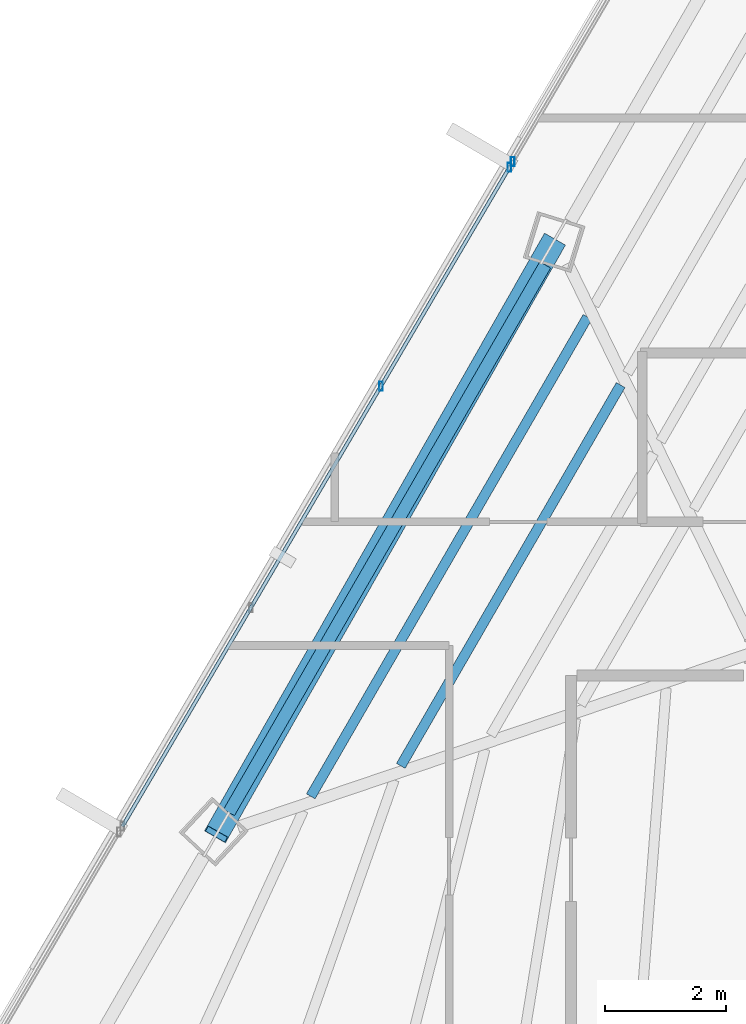
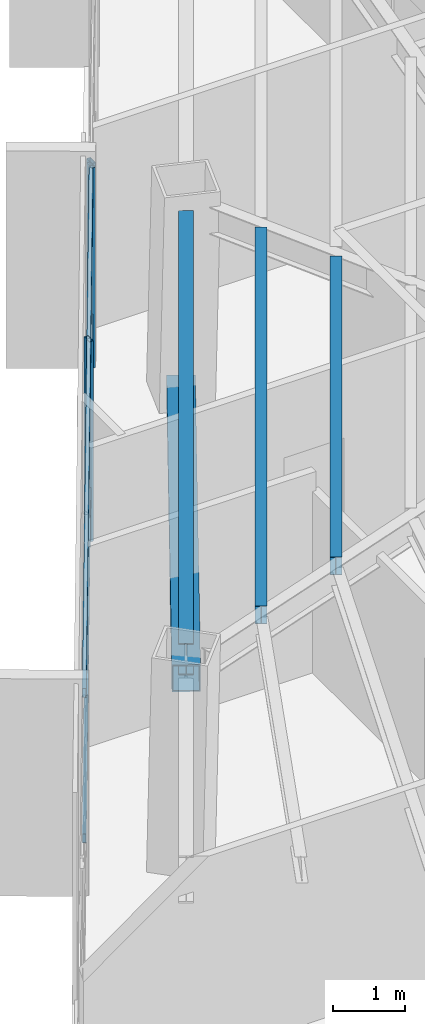
# One storey, part 16 of 44: 6 members, 3 beams, 2 elements without a shape of their own.
"""IFC4 building model written with IfcOpenShell, lengths in metres."""

import ifcopenshell
import ifcopenshell.guid

model = None  # the IFC model being written
_history = None  # IfcOwnerHistory: only IFC2X3 demands one
_inside = {}  # id of a spatial element -> (the spatial element, [elements in it])
_under = {}  # id of a project, library or spatial element -> (it, [spatial elements below it])
_declared = {}  # id of a project -> (the project, [libraries it declares])
_typed = {}  # id of a type object -> (the type object, [elements of that type])
_made_of = {}  # id of a material, layer set ... -> (it, [elements and type objects made of it])


def new_model(schema):
    """Start an empty IFC model of exactly this schema.

    Asked for "IFC4X3", IfcOpenShell would pick the latest addendum, in which some entities
    have other attributes; the version numbers below select the first issue.
    IFC2X3 requires an IfcOwnerHistory on every rooted entity: one is made here for all.
    """
    global model, _history
    if schema == "IFC4X3":
        model = ifcopenshell.file(schema_version=(4, 3, 0, 0))
    else:
        model = ifcopenshell.file(schema=schema)
    _inside.clear()
    _under.clear()
    _declared.clear()
    _typed.clear()
    _made_of.clear()
    _history = None
    if model.schema == "IFC2X3":
        org = make("IfcOrganization", Name="unknown")
        user = make(
            "IfcPersonAndOrganization",
            ThePerson=make("IfcPerson", FamilyName="unknown"),
            TheOrganization=org,
        )
        app = make(
            "IfcApplication",
            ApplicationDeveloper=org,
            Version="unknown",
            ApplicationFullName="unknown",
            ApplicationIdentifier="unknown",
        )
        _history = make(
            "IfcOwnerHistory",
            OwningUser=user,
            OwningApplication=app,
            ChangeAction="ADDED",
            CreationDate=0,
        )
    return model


def make(cls, **values):
    """One entity of the class cls with the attributes given. An attribute that is None is left unset."""
    return model.create_entity(
        cls, **{name: value for name, value in values.items() if value is not None}
    )


def rooted(cls, **values):
    """An entity with a GlobalId (a new one), such as an element, a storey or a relation."""
    return make(cls, GlobalId=ifcopenshell.guid.new(), OwnerHistory=_history, **values)


def si_unit(unit_type, name, prefix=None):
    """IfcSIUnit, for example si_unit("LENGTHUNIT", "METRE", prefix="MILLI")."""
    return make("IfcSIUnit", UnitType=unit_type, Prefix=prefix, Name=name)


def assignment(units):
    """IfcUnitAssignment: the units of a project."""
    return None if units is None else make("IfcUnitAssignment", Units=units)


def point(xyz):
    """IfcCartesianPoint."""
    return None if xyz is None else make("IfcCartesianPoint", Coordinates=xyz)


def direction(xyz):
    """IfcDirection."""
    return None if xyz is None else make("IfcDirection", DirectionRatios=xyz)


def frame(location, z_axis=None, x_axis=None):
    """IfcAxis2Placement3D, a coordinate frame: its origin and axes. An axis left out is left unset."""
    return make(
        "IfcAxis2Placement3D",
        Location=point(location),
        Axis=direction(z_axis),
        RefDirection=direction(x_axis),
    )


def frame_2d(location, x_axis=None):
    """IfcAxis2Placement2D, a coordinate frame in the plane: its origin and x axis."""
    return make(
        "IfcAxis2Placement2D", Location=point(location), RefDirection=direction(x_axis)
    )


def origin():
    """The frame at (0, 0, 0) with its axes left unset."""
    return frame((0.0, 0.0, 0.0))


def origin_2d():
    """The frame at (0, 0) in the plane with its x axis left unset."""
    return frame_2d((0.0, 0.0))


def place(relative_to, where):
    """IfcLocalPlacement: puts the frame where relative to a parent placement (None: the world)."""
    return make(
        "IfcLocalPlacement", PlacementRelTo=relative_to, RelativePlacement=where
    )


def context(
    kind, dimensions, precision=None, world=None, true_north=None, identifier=None
):
    """IfcGeometricRepresentationContext, for example the 3D "Model" context."""
    return make(
        "IfcGeometricRepresentationContext",
        ContextIdentifier=identifier,
        ContextType=kind,
        CoordinateSpaceDimension=dimensions,
        Precision=precision,
        WorldCoordinateSystem=world,
        TrueNorth=true_north,
    )


def subcontext(parent, identifier, kind, view, scale=None):
    """IfcGeometricRepresentationSubContext, for example "Body" below "Model"."""
    return make(
        "IfcGeometricRepresentationSubContext",
        ContextIdentifier=identifier,
        ContextType=kind,
        ParentContext=parent,
        TargetScale=scale,
        TargetView=view,
    )


def project(units=None, contexts=None):
    """IfcProject with its units and contexts."""
    return rooted(
        "IfcProject",
        Name="project",
        RepresentationContexts=contexts,
        UnitsInContext=assignment(units),
    )


def spatial(cls, under=None, at=None, **own):
    """A site, building, storey or space (cls), placed at a placement, below another one or the project."""
    s = rooted(cls, ObjectPlacement=at, **own)
    if under is not None:
        _under.setdefault(under.id(), (under, []))[1].append(s)
    return s


def profile(cls, at=None, kind="AREA", **sizes):
    """A parametric profile (cls). Its sizes go by their IFC names, for example OverallWidth=200.0."""
    return make(cls, ProfileType=kind, Position=at, **sizes)


def hollow_rectangle(**sizes):
    """IfcRectangleHollowProfileDef."""
    return profile("IfcRectangleHollowProfileDef", **sizes)


def i_section(**sizes):
    """IfcIShapeProfileDef."""
    return profile("IfcIShapeProfileDef", **sizes)


def extrude(swept, where, along, depth):
    """IfcExtrudedAreaSolid: the profile swept, set in the frame where, extruded along a direction by depth."""
    return make(
        "IfcExtrudedAreaSolid",
        SweptArea=swept,
        Position=where,
        ExtrudedDirection=direction(along),
        Depth=depth,
    )


def shape(context_of_items, identifier, shape_type, items):
    """IfcShapeRepresentation: the items that make up one representation, for example the "Body"."""
    return make(
        "IfcShapeRepresentation",
        ContextOfItems=context_of_items,
        RepresentationIdentifier=identifier,
        RepresentationType=shape_type,
        Items=items,
    )


def source(mapping_origin, context_of_items, identifier, shape_type, items):
    """IfcRepresentationMap: a shape defined once, which mapped items show again and again."""
    return make(
        "IfcRepresentationMap",
        MappingOrigin=mapping_origin,
        MappedRepresentation=shape(context_of_items, identifier, shape_type, items),
    )


def transform(
    local_origin,
    x_axis=None,
    y_axis=None,
    z_axis=None,
    scale=None,
    scale2=None,
    scale3=None,
    uniform=True,
):
    """IfcCartesianTransformationOperator3D, or its non-uniform kind. x_axis, y_axis, z_axis: its Axis1, 2, 3."""
    if uniform:
        return make(
            "IfcCartesianTransformationOperator3D",
            Axis1=direction(x_axis),
            Axis2=direction(y_axis),
            LocalOrigin=point(local_origin),
            Scale=scale,
            Axis3=direction(z_axis),
        )
    return make(
        "IfcCartesianTransformationOperator3DnonUniform",
        Axis1=direction(x_axis),
        Axis2=direction(y_axis),
        LocalOrigin=point(local_origin),
        Scale=scale,
        Axis3=direction(z_axis),
        Scale2=scale2,
        Scale3=scale3,
    )


def mapped(mapping_source, mapping_target):
    """IfcMappedItem: shows the shape of a source again, moved by a transform."""
    return make(
        "IfcMappedItem", MappingSource=mapping_source, MappingTarget=mapping_target
    )


def material(Name=None, Category=None):
    """IfcMaterial."""
    return make("IfcMaterial", Name=Name, Category=Category)


def material_profile(
    of_material, cross_section, Name=None, Category=None, Priority=None
):
    """IfcMaterialProfile: a cross section and its material."""
    return make(
        "IfcMaterialProfile",
        Name=Name,
        Material=of_material,
        Profile=cross_section,
        Priority=Priority,
        Category=Category,
    )


def profile_set(profiles, Name=None, composite=None):
    """IfcMaterialProfileSet."""
    return make(
        "IfcMaterialProfileSet",
        Name=Name,
        MaterialProfiles=profiles,
        CompositeProfile=composite,
    )


def made_of(thing, what):
    """Note that an element or type object is made of a material, layer set ...; save() writes the relation."""
    if what is not None:
        _made_of.setdefault(what.id(), (what, []))[1].append(thing)
    return thing


def type_object(cls, material=None, **own):
    """A type object (cls), such as IfcWallType, which elements share."""
    return made_of(rooted(cls, **own), material)


def type_shapes(of_type, sources):
    """Give a type object the sources (RepresentationMaps) that its elements show as mapped items."""
    of_type.RepresentationMaps = sources


def element(
    cls,
    number,
    at=None,
    inside=None,
    cuts=None,
    type_object=None,
    material=None,
    context=None,
    identifier="Body",
    shape_type=None,
    held_by="IfcProductDefinitionShape",
    body=None,
    shapes=None,
    **own,
):
    """One element of the class cls, such as IfcWall. Its Tag is "e" and its number.

    at: its placement. inside: the storey or other place that contains it. cuts: it is an
    opening in that element (IfcRelVoidsElement). A single representation is given by context,
    identifier, shape_type and body (its items); several are given by shapes. held_by: the class
    of the entity that holds the representations. save() writes the other relations.
    """
    e = rooted(cls, Tag="e%d" % number, ObjectPlacement=at, **own)
    if body is not None:
        shapes = [shape(context, identifier, shape_type, body)]
    if shapes is not None:
        e.Representation = make(held_by, Representations=shapes)
    if inside is not None:
        _inside.setdefault(inside.id(), (inside, []))[1].append(e)
    if cuts is not None:
        rooted(
            "IfcRelVoidsElement", RelatingBuildingElement=cuts, RelatedOpeningElement=e
        )
    if type_object is not None:
        _typed.setdefault(type_object.id(), (type_object, []))[1].append(e)
    return made_of(e, material)


def aggregate(whole, parts):
    """IfcRelAggregates: a whole, such as a stair, and the parts it consists of."""
    return rooted("IfcRelAggregates", RelatingObject=whole, RelatedObjects=parts)


def save(model, path):
    """Write the relations noted so far, then the file.

    IfcRelAggregates (storeys below a building ...), IfcRelContainedInSpatialStructure (elements
    in a storey), IfcRelDefinesByType, IfcRelAssociatesMaterial and IfcRelDeclares: one each for
    every whole, place, type object, material and project.
    """
    for whole, parts in _under.values():
        aggregate(whole, parts)
    for where, things in _inside.values():
        rooted(
            "IfcRelContainedInSpatialStructure",
            RelatedElements=things,
            RelatingStructure=where,
        )
    for kind, things in _typed.values():
        rooted("IfcRelDefinesByType", RelatedObjects=things, RelatingType=kind)
    for what, things in _made_of.values():
        rooted("IfcRelAssociatesMaterial", RelatedObjects=things, RelatingMaterial=what)
    for by, libraries in _declared.values():
        rooted("IfcRelDeclares", RelatingContext=by, RelatedDefinitions=libraries)
    model.write(path)


model = new_model("IFC4")

# Units and contexts
model_context = context("Model", 3, precision=1e-05, world=origin(), true_north=direction((0.0, 1.0)))
body_context = subcontext(model_context, "Body", "Model", "MODEL_VIEW")
ifc_project = project(units=[si_unit("LENGTHUNIT", "METRE"), si_unit("AREAUNIT", "SQUARE_METRE"), si_unit("VOLUMEUNIT", "CUBIC_METRE"), si_unit("PLANEANGLEUNIT", "RADIAN"), si_unit("MASSUNIT", "GRAM", prefix="KILO")], contexts=[model_context])

# Site, building, storey
site_placement = place(None, origin())
site = spatial("IfcSite", under=ifc_project, at=site_placement, CompositionType="ELEMENT")
building_placement = place(site_placement, origin())
building = spatial("IfcBuilding", under=site, at=building_placement, Name="Caelisora Broadcast Tower", CompositionType="ELEMENT")
storey_placement = place(building_placement, frame((0.0, 0.0, 198.64990234375)))
storey = spatial("IfcBuildingStorey", under=building, at=storey_placement, Name="L52", CompositionType="ELEMENT", Elevation=198.64990234375)

# Beams
ifc_material_1 = material(Name="Steel Grade 350 (AS/NZS 3679.1)", Category="steel")
ifc_material_profile_1 = material_profile(ifc_material_1, i_section(OverallWidth=0.208984375, OverallDepth=0.532958984375, WebThickness=0.01025390625, FlangeThickness=0.015625, at=origin_2d()), Name="Steel Grade 350 (AS/NZS 3679.1)")
ifc_profile_set_1 = profile_set([ifc_material_profile_1], Name="Steel Grade 350 (AS/NZS 3679.1)")
beam_type_1 = type_object("IfcBeamType", Name="PG05", PredefinedType="BEAM", material=ifc_profile_set_1)
shared_shape_1 = source(origin(), body_context, "Body", "SweptSolid", [
    extrude(i_section(OverallWidth=0.208984375, OverallDepth=0.532958984375, WebThickness=0.01025390625, FlangeThickness=0.015625, at=origin_2d()), origin(), (0.0, 0.0, 1.0), 10.491455078125),
])
type_shapes(beam_type_1, [shared_shape_1])
beam_1_placement = place(storey_placement, frame((26.991943359375, 36.41259765625, 3.133544921875), z_axis=(-0.500015877441, -0.866016236746, 0.0), x_axis=(0.866016236746, -0.500015877441, 0.0)))
element("IfcBeam", 1, at=beam_1_placement, inside=storey, type_object=beam_type_1, Name="L52 beam PG05", PredefinedType="BEAM", context=body_context, shape_type="MappedRepresentation", body=[
    mapped(shared_shape_1, transform((0.0, 0.0, 0.0), scale=1.0)),
])
ifc_material_profile_2 = material_profile(ifc_material_1, i_section(OverallWidth=0.166015625, OverallDepth=0.30712890625, WebThickness=0.006591796875, FlangeThickness=0.01171875, at=origin_2d()), Name="Steel Grade 350 (AS/NZS 3679.1)")
ifc_profile_set_2 = profile_set([ifc_material_profile_2], Name="Steel Grade 350 (AS/NZS 3679.1)")
beam_type_2 = type_object("IfcBeamType", Name="SB03", PredefinedType="JOIST", material=ifc_profile_set_2)
shared_shape_2 = source(origin(), body_context, "Body", "SweptSolid", [
    extrude(i_section(OverallWidth=0.166015625, OverallDepth=0.30712890625, WebThickness=0.006591796875, FlangeThickness=0.01171875, at=origin_2d()), origin(), (0.0, 0.0, 1.0), 7.29541015625),
])
beam_2_placement = place(storey_placement, frame((28.243896484375, 34.418212890625, 3.24658203125), z_axis=(-0.500008276014, -0.866020625573, 0.0), x_axis=(0.866020625573, -0.500008276014, 0.0)))
element("IfcBeam", 2, at=beam_2_placement, inside=storey, type_object=beam_type_2, Name="L52 beam SB03", PredefinedType="JOIST", context=body_context, shape_type="MappedRepresentation", body=[
    mapped(shared_shape_2, transform((0.0, 0.0, 0.0), scale=1.0)),
])
shared_shape_3 = source(origin(), body_context, "Body", "SweptSolid", [
    extrude(i_section(OverallWidth=0.166015625, OverallDepth=0.30712890625, WebThickness=0.006591796875, FlangeThickness=0.01171875, at=origin_2d()), origin(), (0.0, 0.0, 1.0), 9.182373046875),
])
type_shapes(beam_type_2, [shared_shape_2, shared_shape_3])
beam_3_placement = place(storey_placement, frame((27.69384765625, 35.547119140625, 3.24658203125), z_axis=(-0.499990967271, -0.86603061877, 0.0), x_axis=(0.86603061877, -0.499990967271, 0.0)))
element("IfcBeam", 3, at=beam_3_placement, inside=storey, type_object=beam_type_2, Name="L52 beam SB03", PredefinedType="JOIST", context=body_context, shape_type="MappedRepresentation", body=[
    mapped(shared_shape_3, transform((0.0, 0.0, 0.0), scale=1.0)),
])

# Member
ifc_material_2 = material(Name="Steel Grade 450 (AS/NZS 1163 C450L0)", Category="steel")
ifc_material_profile_3 = material_profile(ifc_material_2, hollow_rectangle(XDim=0.39990234375, YDim=0.39990234375, WallThickness=0.01611328125, at=origin_2d()), Name="Steel Grade 450 (AS/NZS 1163 C450L0)")
ifc_profile_set_3 = profile_set([ifc_material_profile_3], Name="Steel Grade 450 (AS/NZS 1163 C450L0)")
member_type_1 = type_object("IfcMemberType", Name="BR04", PredefinedType="BRACE", material=ifc_profile_set_3)
shared_shape_4 = source(origin(), body_context, "Body", "SweptSolid", [
    extrude(hollow_rectangle(XDim=0.39990234375, YDim=0.39990234375, WallThickness=0.01611328125, at=origin_2d()), origin(), (0.0, 0.0, 1.0), 11.698486328125),
])
type_shapes(member_type_1, [shared_shape_4])
member_1_placement = place(storey_placement, frame((27.129150390625, 36.794921875, 0.10009765625), z_axis=(-0.477926643312, -0.840133307707, 0.256441316668), x_axis=(0.86919951135, -0.494461534874, 0.0)))
element("IfcMember", 4, at=member_1_placement, inside=storey, type_object=member_type_1, Name="L52 perimeter brace BR04", PredefinedType="BRACE", context=body_context, shape_type="MappedRepresentation", body=[
    mapped(shared_shape_4, transform((0.0, 0.0, 0.0), scale=1.0)),
])

# Curtain wall, members
ifc_material_3 = material(Name="Unitised Aluminium Insulated Shadow-Box Spandrel Curtain Wall", Category="aluminium")
curtain_wall_type_1 = type_object("IfcCurtainWallType", Name="CW-SP2", PredefinedType="NOTDEFINED", material=ifc_material_3)
curtain_wall_1_placement = place(storey_placement, origin())
curtain_wall_1 = element("IfcCurtainWall", 5, at=curtain_wall_1_placement, inside=storey, type_object=curtain_wall_type_1, Name="L52 curtain wall CW-SP2", PredefinedType="NOTDEFINED")
ifc_material_4 = material(Name="Aluminium 6063-T6 Anodised Terracotta Bronze", Category="aluminium")
ifc_material_profile_4 = material_profile(ifc_material_4, hollow_rectangle(XDim=0.06005859375, YDim=0.14990234375, WallThickness=0.00341796875, at=origin_2d()), Name="Aluminium 6063-T6 Anodised Terracotta Bronze")
ifc_profile_set_4 = profile_set([ifc_material_profile_4], Name="Aluminium 6063-T6 Anodised Terracotta Bronze")
member_type_2 = type_object("IfcMemberType", Name="CWM-03", PredefinedType="MULLION", material=ifc_profile_set_4)
shared_shape_5 = source(origin(), body_context, "Body", "SweptSolid", [
    extrude(hollow_rectangle(XDim=0.06005859375, YDim=0.14990234375, WallThickness=0.00341796875, at=origin_2d()), origin(), (0.0, 0.0, 1.0), 3.400146484375),
])
type_shapes(member_type_2, [shared_shape_5])
member_2_placement = place(storey_placement, frame((24.2666015625, 34.399658203125, 0.0), z_axis=(0.0, 0.0, 1.0), x_axis=(1.0, 0.0, 0.0)))
member_2 = element("IfcMember", 6, at=member_2_placement, type_object=member_type_2, Name="L52-CW-B10 mullion #2", PredefinedType="MULLION", context=body_context, shape_type="MappedRepresentation", body=[
    mapped(shared_shape_5, transform((0.0, 0.0, 0.0), scale=1.0)),
])
member_3_placement = place(storey_placement, frame((26.3984375, 38.030029296875, 0.0), z_axis=(0.0, 0.0, 1.0), x_axis=(1.0, 0.0, 0.0)))
member_3 = element("IfcMember", 7, at=member_3_placement, type_object=member_type_2, Name="L52-CW-B10 mullion #3", PredefinedType="MULLION", context=body_context, shape_type="MappedRepresentation", body=[
    mapped(shared_shape_5, transform((0.0, 0.0, 0.0), scale=1.0)),
])

# Curtain wall, member
ifc_material_5 = material(Name="Unitised Aluminium and Low-E Glass Curtain Wall", Category="glass")
curtain_wall_type_2 = type_object("IfcCurtainWallType", Name="CW-Z4", PredefinedType="NOTDEFINED", material=ifc_material_5)
curtain_wall_2_placement = place(storey_placement, origin())
curtain_wall_2 = element("IfcCurtainWall", 8, at=curtain_wall_2_placement, inside=storey, type_object=curtain_wall_type_2, Name="L52 curtain wall CW-Z4", PredefinedType="NOTDEFINED")
member_4_placement = place(storey_placement, frame((26.4541015625, 38.125, 0.0), z_axis=(0.0, 0.0, 1.0), x_axis=(1.0, 0.0, 0.0)))
member_4 = element("IfcMember", 9, at=member_4_placement, type_object=member_type_2, Name="L52-CW-B11 mullion #0", PredefinedType="MULLION", context=body_context, shape_type="MappedRepresentation", body=[
    mapped(shared_shape_5, transform((0.0, 0.0, 0.0), scale=1.0)),
])
aggregate(curtain_wall_2, [member_4])

# Member
ifc_material_profile_5 = material_profile(ifc_material_4, hollow_rectangle(XDim=0.06005859375, YDim=0.14990234375, WallThickness=0.00341796875, at=origin_2d()), Name="Aluminium 6063-T6 Anodised Terracotta Bronze")
ifc_profile_set_5 = profile_set([ifc_material_profile_5], Name="Aluminium 6063-T6 Anodised Terracotta Bronze")
member_type_3 = type_object("IfcMemberType", Name="CWT-02", PredefinedType="USERDEFINED", material=ifc_profile_set_5)
shared_shape_6 = source(origin(), body_context, "Body", "SweptSolid", [
    extrude(hollow_rectangle(XDim=0.06005859375, YDim=0.14990234375, WallThickness=0.00341796875, at=origin_2d()), origin(), (0.0, 0.0, 1.0), 12.680419921875),
])
type_shapes(member_type_3, [shared_shape_6])
member_5_placement = place(storey_placement, frame((19.977294921875, 27.095703125, 0.85009765625), z_axis=(0.506386405771, 0.862306678653, 0.0), x_axis=(-0.862306678653, 0.506386405771, 0.0)))
member_5 = element("IfcMember", 10, at=member_5_placement, type_object=member_type_3, Name="L52-CW-B10 transom #1", ObjectType="TRANSOM", PredefinedType="USERDEFINED", context=body_context, shape_type="MappedRepresentation", body=[
    mapped(shared_shape_6, transform((0.0, 0.0, 0.0), scale=1.0)),
])

member_6_placement = place(storey_placement, frame((19.977294921875, 27.095703125, 3.320068359375), z_axis=(0.506386405771, 0.862306678653, 0.0), x_axis=(-0.862306678653, 0.506386405771, 0.0)))
member_6 = element("IfcMember", 11, at=member_6_placement, type_object=member_type_3, Name="L52-CW-B10 transom #2", ObjectType="TRANSOM", PredefinedType="USERDEFINED", context=body_context, shape_type="MappedRepresentation", body=[
    mapped(shared_shape_6, transform((0.0, 0.0, 0.0), scale=1.0)),
])

aggregate(curtain_wall_1, [member_2, member_3, member_5, member_6])

save(model, "model.ifc")
